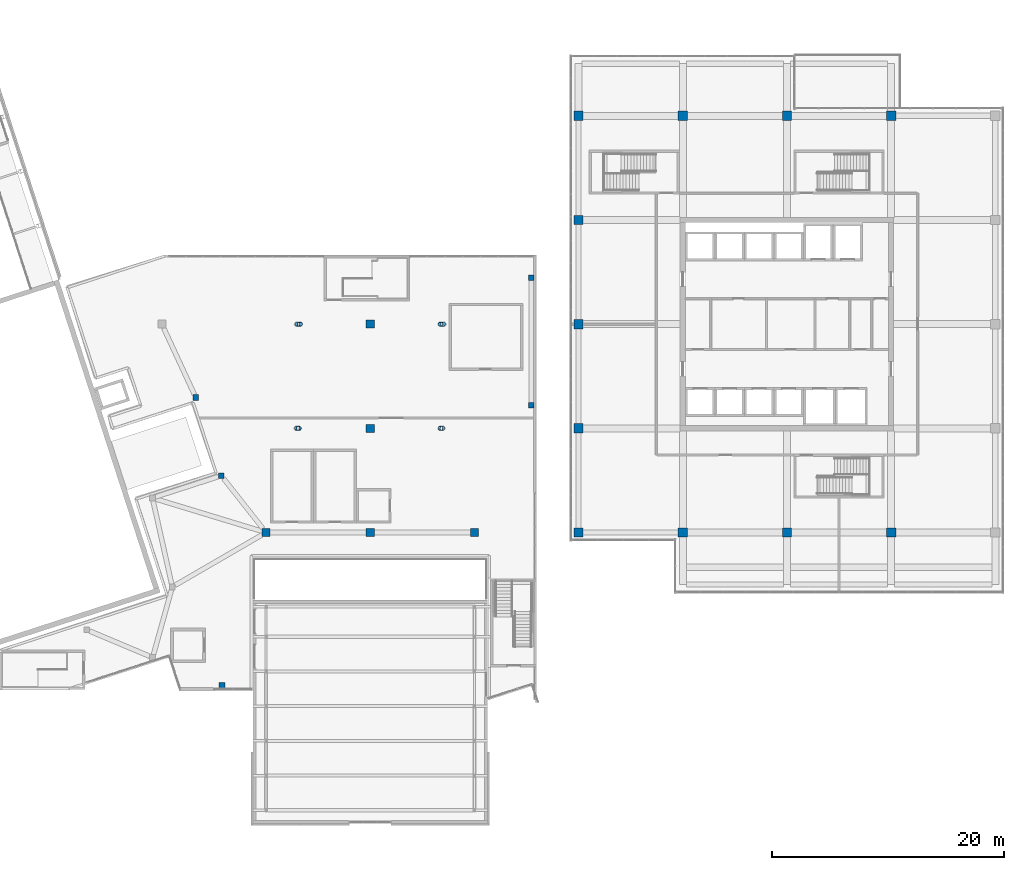
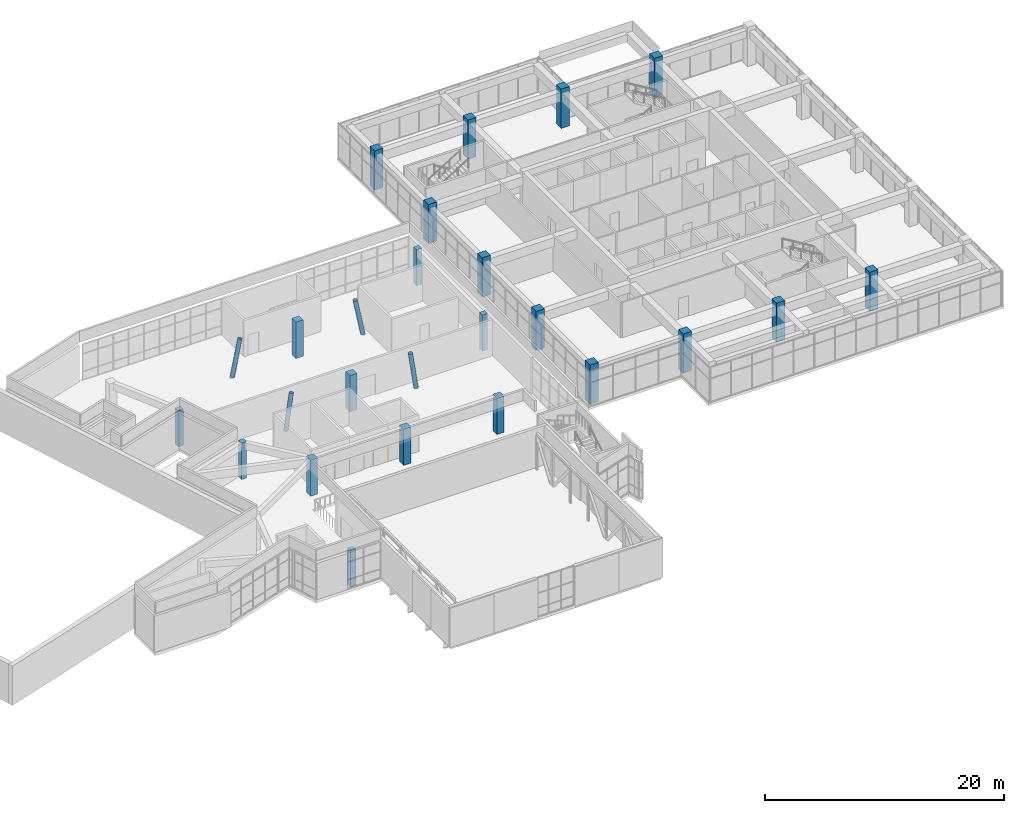
# One storey, part 3 of 72: 25 columns.
"""IFC4 building model written with IfcOpenShell, lengths in metres."""

from ifc_helpers import new_model, si_unit, direction, frame, origin, origin_2d, place, context, subcontext, project, spatial, rectangle, hollow_circle, extrude, material, material_profile, profile_set, type_object, element, save


model = new_model("IFC4")

# Units and contexts
model_context = context("Model", 3, precision=1e-05, world=origin(), true_north=direction((0.0, 1.0)))
body_context = subcontext(model_context, "Body", "Model", "MODEL_VIEW")
ifc_project = project(units=[si_unit("LENGTHUNIT", "METRE"), si_unit("AREAUNIT", "SQUARE_METRE"), si_unit("VOLUMEUNIT", "CUBIC_METRE"), si_unit("PLANEANGLEUNIT", "RADIAN"), si_unit("MASSUNIT", "GRAM", prefix="KILO")], contexts=[model_context])

# Site, building, storey
site_placement = place(None, origin())
site = spatial("IfcSite", under=ifc_project, at=site_placement, CompositionType="ELEMENT")
building_placement = place(site_placement, origin())
building = spatial("IfcBuilding", under=site, at=building_placement, Name="Tuart Plaza Theatre", CompositionType="ELEMENT")
storey_placement = place(building_placement, frame((0.0, 0.0, 13.5)))
storey = spatial("IfcBuildingStorey", under=building, at=storey_placement, Name="L03", CompositionType="ELEMENT", Elevation=13.5)

# Columns
ifc_material_1 = material(Name="Steel Grade C350L0", Category="steel")
ifc_material_profile_1 = material_profile(ifc_material_1, hollow_circle(Radius=0.203125, WallThickness=0.0126953125, at=origin_2d()), Name="406.4x12.7 CHS")
ifc_profile_set_1 = profile_set([ifc_material_profile_1], Name="Steel Grade C350L0")
column_type_1 = type_object("IfcColumnType", Name="COLUMN 406.4x12.7 CHS", PredefinedType="COLUMN", material=ifc_profile_set_1)
for number, where, z_axis, x_axis, name in (
    (1, (89.667236328125, 65.0, 0.0), (0.14417236035, 0.0, 0.989552591079), (0.0, 1.0, 0.0), "SC27"),
    (2, (102.23291015625, 65.0, 0.0), (-0.14423629769, 0.0, 0.989543273651), (0.0, -1.0, 0.0), "SC28"),
):
    element("IfcColumn", number, at=place(storey_placement, frame(where, z_axis=z_axis, x_axis=x_axis)), inside=storey, type_object=column_type_1, Name=name, PredefinedType="COLUMN", context=body_context, shape_type="SweptSolid", body=[
        extrude(hollow_circle(Radius=0.203125, WallThickness=0.0126953125, at=origin_2d()), origin(), (0.0, 0.0, 1.0), 3.739013671875),
    ])
for number, where, z_axis, x_axis, name in (
    (3, (89.699951171875, 74.0, 0.0), (0.196116135138, 0.0, 0.980580675691), (0.0, 1.0, 0.0), "SC29"),
    (4, (102.300048828125, 74.0, 0.0), (-0.196116135138, 0.0, 0.980580675691), (0.0, -1.0, 0.0), "SC30"),
):
    element("IfcColumn", number, at=place(storey_placement, frame(where, z_axis=z_axis, x_axis=x_axis)), inside=storey, type_object=column_type_1, Name=name, PredefinedType="COLUMN", context=body_context, shape_type="SweptSolid", body=[
        extrude(hollow_circle(Radius=0.203125, WallThickness=0.0126953125, at=origin_2d()), origin(), (0.0, 0.0, 1.0), 3.773193359375),
    ])
ifc_material_2 = material(Name="Concrete N50 (50 MPa)", Category="concrete")
ifc_material_profile_2 = material_profile(ifc_material_2, rectangle(XDim=0.5, YDim=0.5, at=origin_2d()), Name="COLUMN 500x500 Concrete N50 (50 MPa)")
ifc_profile_set_2 = profile_set([ifc_material_profile_2], Name="Concrete N50 (50 MPa)")
column_type_2 = type_object("IfcColumnType", Name="COLUMN 500x500 Concrete N50 (50 MPa)", PredefinedType="COLUMN", material=ifc_profile_set_2)
for number, where, z_axis, x_axis, name in (
    (5, (109.909912109375, 78.0, 0.0), (0.0, 0.0, 1.0), (1.0, 0.0, 0.0), "C37"),
    (6, (109.909912109375, 67.0, 0.0), (0.0, 0.0, 1.0), (1.0, 0.0, 0.0), "C38"),
    (7, (83.199951171875, 42.780029296875, 0.0), (0.0, 0.0, 1.0), (1.0, 0.0, 0.0), "C41"),
    (8, (83.1298828125, 60.909912109375, 0.0), (0.0, 0.0, 1.0), (1.0, 0.0, 0.0), "C46"),
    (9, (80.929931640625, 67.659912109375, 0.0), (0.0, 0.0, 1.0), (1.0, 0.0, 0.0), "C47"),
):
    element("IfcColumn", number, at=place(storey_placement, frame(where, z_axis=z_axis, x_axis=x_axis)), inside=storey, type_object=column_type_2, Name=name, PredefinedType="COLUMN", context=body_context, shape_type="SweptSolid", body=[
        extrude(rectangle(XDim=0.5, YDim=0.5, at=origin_2d()), origin(), (0.0, 0.0, 1.0), 3.699951171875),
    ])
ifc_material_3 = material(Name="Concrete N50 (50 MPa)", Category="concrete")
ifc_material_profile_3 = material_profile(ifc_material_3, rectangle(XDim=0.699951171875, YDim=0.699951171875, at=origin_2d()), Name="COLUMN 700x700 Concrete N50 (50 MPa)")
ifc_profile_set_3 = profile_set([ifc_material_profile_3], Name="Concrete N50 (50 MPa)")
column_type_3 = type_object("IfcColumnType", Name="COLUMN 700x700 Concrete N50 (50 MPa)", PredefinedType="COLUMN", material=ifc_profile_set_3)
for number, where, z_axis, x_axis, name in (
    (10, (87.0, 56.0, 0.0), (0.0, 0.0, 1.0), (1.0, 0.0, 0.0), "C32"),
    (11, (96.0, 56.0, 0.0), (0.0, 0.0, 1.0), (1.0, 0.0, 0.0), "C33"),
    (12, (96.0, 65.0, 0.0), (0.0, 0.0, 1.0), (1.0, 0.0, 0.0), "C34"),
    (13, (96.0, 74.0, 0.0), (0.0, 0.0, 1.0), (1.0, 0.0, 0.0), "C35"),
    (14, (105.0, 56.0, 0.0), (0.0, 0.0, 1.0), (1.0, 0.0, 0.0), "C36"),
):
    element("IfcColumn", number, at=place(storey_placement, frame(where, z_axis=z_axis, x_axis=x_axis)), inside=storey, type_object=column_type_3, Name=name, PredefinedType="COLUMN", context=body_context, shape_type="SweptSolid", body=[
        extrude(rectangle(XDim=0.699951171875, YDim=0.699951171875, at=origin_2d()), origin(), (0.0, 0.0, 1.0), 3.699951171875),
    ])
ifc_material_4 = material(Name="Concrete N50 (50 MPa)", Category="concrete")
ifc_material_profile_4 = material_profile(ifc_material_4, rectangle(XDim=0.800048828125, YDim=0.800048828125, at=origin_2d()), Name="COLUMN 800x800 Concrete N50 (50 MPa)")
ifc_profile_set_4 = profile_set([ifc_material_profile_4], Name="Concrete N50 (50 MPa)")
column_type_4 = type_object("IfcColumnType", Name="COLUMN 800x800 Concrete N50 (50 MPa)", PredefinedType="COLUMN", material=ifc_profile_set_4)
for number, where, z_axis, x_axis, name in (
    (15, (114.0, 56.0, 0.0), (0.0, 0.0, 1.0), (1.0, 0.0, 0.0), "C50"),
    (16, (114.0, 65.0, 0.0), (0.0, 0.0, 1.0), (1.0, 0.0, 0.0), "C51"),
    (17, (114.0, 74.0, 0.0), (0.0, 0.0, 1.0), (1.0, 0.0, 0.0), "C52"),
    (18, (114.0, 83.0, 0.0), (0.0, 0.0, 1.0), (1.0, 0.0, 0.0), "C53"),
    (19, (114.0, 92.0, 0.0), (0.0, 0.0, 1.0), (1.0, 0.0, 0.0), "C54"),
    (20, (123.0, 56.0, 0.0), (0.0, 0.0, 1.0), (1.0, 0.0, 0.0), "C55"),
    (21, (123.0, 92.0, 0.0), (0.0, 0.0, 1.0), (1.0, 0.0, 0.0), "C56"),
    (22, (132.0, 56.0, 0.0), (0.0, 0.0, 1.0), (1.0, 0.0, 0.0), "C57"),
    (23, (132.0, 92.0, 0.0), (0.0, 0.0, 1.0), (1.0, 0.0, 0.0), "C58"),
    (24, (141.0, 56.0, 0.0), (0.0, 0.0, 1.0), (1.0, 0.0, 0.0), "C59"),
    (25, (141.0, 92.0, 0.0), (0.0, 0.0, 1.0), (1.0, 0.0, 0.0), "C60"),
):
    element("IfcColumn", number, at=place(storey_placement, frame(where, z_axis=z_axis, x_axis=x_axis)), inside=storey, type_object=column_type_4, Name=name, PredefinedType="COLUMN", context=body_context, shape_type="SweptSolid", body=[
        extrude(rectangle(XDim=0.800048828125, YDim=0.800048828125, at=origin_2d()), origin(), (0.0, 0.0, 1.0), 4.0),
    ])

save(model, "model.ifc")
